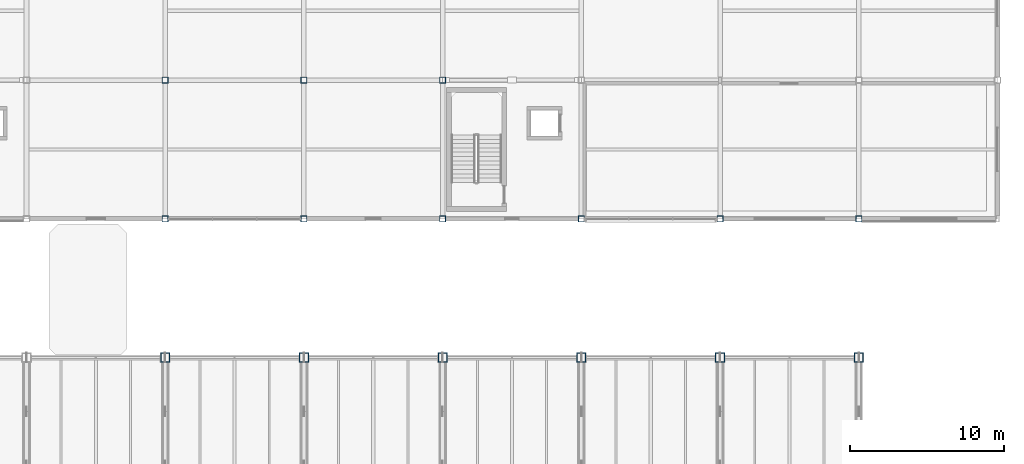
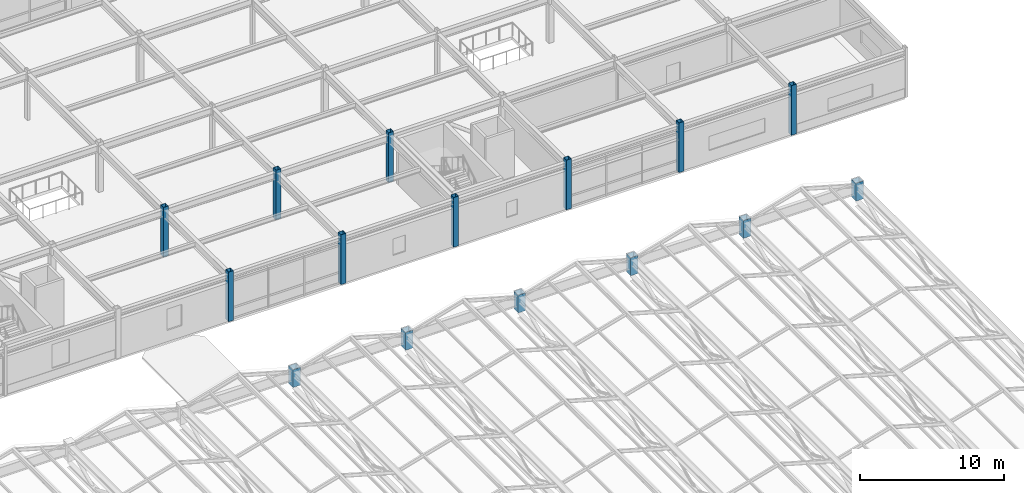
# One storey, part 13 of 108: 15 columns.
"""IFC4 building model written with IfcOpenShell, lengths in metres."""

import ifcopenshell
import ifcopenshell.guid

model = None  # the IFC model being written
_history = None  # IfcOwnerHistory: only IFC2X3 demands one
_inside = {}  # id of a spatial element -> (the spatial element, [elements in it])
_under = {}  # id of a project, library or spatial element -> (it, [spatial elements below it])
_declared = {}  # id of a project -> (the project, [libraries it declares])
_typed = {}  # id of a type object -> (the type object, [elements of that type])
_made_of = {}  # id of a material, layer set ... -> (it, [elements and type objects made of it])


def new_model(schema):
    """Start an empty IFC model of exactly this schema.

    Asked for "IFC4X3", IfcOpenShell would pick the latest addendum, in which some entities
    have other attributes; the version numbers below select the first issue.
    IFC2X3 requires an IfcOwnerHistory on every rooted entity: one is made here for all.
    """
    global model, _history
    if schema == "IFC4X3":
        model = ifcopenshell.file(schema_version=(4, 3, 0, 0))
    else:
        model = ifcopenshell.file(schema=schema)
    _inside.clear()
    _under.clear()
    _declared.clear()
    _typed.clear()
    _made_of.clear()
    _history = None
    if model.schema == "IFC2X3":
        org = make("IfcOrganization", Name="unknown")
        user = make(
            "IfcPersonAndOrganization",
            ThePerson=make("IfcPerson", FamilyName="unknown"),
            TheOrganization=org,
        )
        app = make(
            "IfcApplication",
            ApplicationDeveloper=org,
            Version="unknown",
            ApplicationFullName="unknown",
            ApplicationIdentifier="unknown",
        )
        _history = make(
            "IfcOwnerHistory",
            OwningUser=user,
            OwningApplication=app,
            ChangeAction="ADDED",
            CreationDate=0,
        )
    return model


def make(cls, **values):
    """One entity of the class cls with the attributes given. An attribute that is None is left unset."""
    return model.create_entity(
        cls, **{name: value for name, value in values.items() if value is not None}
    )


def rooted(cls, **values):
    """An entity with a GlobalId (a new one), such as an element, a storey or a relation."""
    return make(cls, GlobalId=ifcopenshell.guid.new(), OwnerHistory=_history, **values)


def si_unit(unit_type, name, prefix=None):
    """IfcSIUnit, for example si_unit("LENGTHUNIT", "METRE", prefix="MILLI")."""
    return make("IfcSIUnit", UnitType=unit_type, Prefix=prefix, Name=name)


def assignment(units):
    """IfcUnitAssignment: the units of a project."""
    return None if units is None else make("IfcUnitAssignment", Units=units)


def point(xyz):
    """IfcCartesianPoint."""
    return None if xyz is None else make("IfcCartesianPoint", Coordinates=xyz)


def direction(xyz):
    """IfcDirection."""
    return None if xyz is None else make("IfcDirection", DirectionRatios=xyz)


def frame(location, z_axis=None, x_axis=None):
    """IfcAxis2Placement3D, a coordinate frame: its origin and axes. An axis left out is left unset."""
    return make(
        "IfcAxis2Placement3D",
        Location=point(location),
        Axis=direction(z_axis),
        RefDirection=direction(x_axis),
    )


def frame_2d(location, x_axis=None):
    """IfcAxis2Placement2D, a coordinate frame in the plane: its origin and x axis."""
    return make(
        "IfcAxis2Placement2D", Location=point(location), RefDirection=direction(x_axis)
    )


def origin():
    """The frame at (0, 0, 0) with its axes left unset."""
    return frame((0.0, 0.0, 0.0))


def origin_2d():
    """The frame at (0, 0) in the plane with its x axis left unset."""
    return frame_2d((0.0, 0.0))


def place(relative_to, where):
    """IfcLocalPlacement: puts the frame where relative to a parent placement (None: the world)."""
    return make(
        "IfcLocalPlacement", PlacementRelTo=relative_to, RelativePlacement=where
    )


def context(
    kind, dimensions, precision=None, world=None, true_north=None, identifier=None
):
    """IfcGeometricRepresentationContext, for example the 3D "Model" context."""
    return make(
        "IfcGeometricRepresentationContext",
        ContextIdentifier=identifier,
        ContextType=kind,
        CoordinateSpaceDimension=dimensions,
        Precision=precision,
        WorldCoordinateSystem=world,
        TrueNorth=true_north,
    )


def subcontext(parent, identifier, kind, view, scale=None):
    """IfcGeometricRepresentationSubContext, for example "Body" below "Model"."""
    return make(
        "IfcGeometricRepresentationSubContext",
        ContextIdentifier=identifier,
        ContextType=kind,
        ParentContext=parent,
        TargetScale=scale,
        TargetView=view,
    )


def project(units=None, contexts=None):
    """IfcProject with its units and contexts."""
    return rooted(
        "IfcProject",
        Name="project",
        RepresentationContexts=contexts,
        UnitsInContext=assignment(units),
    )


def spatial(cls, under=None, at=None, **own):
    """A site, building, storey or space (cls), placed at a placement, below another one or the project."""
    s = rooted(cls, ObjectPlacement=at, **own)
    if under is not None:
        _under.setdefault(under.id(), (under, []))[1].append(s)
    return s


def profile(cls, at=None, kind="AREA", **sizes):
    """A parametric profile (cls). Its sizes go by their IFC names, for example OverallWidth=200.0."""
    return make(cls, ProfileType=kind, Position=at, **sizes)


def hollow_rectangle(**sizes):
    """IfcRectangleHollowProfileDef."""
    return profile("IfcRectangleHollowProfileDef", **sizes)


def extrude(swept, where, along, depth):
    """IfcExtrudedAreaSolid: the profile swept, set in the frame where, extruded along a direction by depth."""
    return make(
        "IfcExtrudedAreaSolid",
        SweptArea=swept,
        Position=where,
        ExtrudedDirection=direction(along),
        Depth=depth,
    )


def shape(context_of_items, identifier, shape_type, items):
    """IfcShapeRepresentation: the items that make up one representation, for example the "Body"."""
    return make(
        "IfcShapeRepresentation",
        ContextOfItems=context_of_items,
        RepresentationIdentifier=identifier,
        RepresentationType=shape_type,
        Items=items,
    )


def material(Name=None, Category=None):
    """IfcMaterial."""
    return make("IfcMaterial", Name=Name, Category=Category)


def material_profile(
    of_material, cross_section, Name=None, Category=None, Priority=None
):
    """IfcMaterialProfile: a cross section and its material."""
    return make(
        "IfcMaterialProfile",
        Name=Name,
        Material=of_material,
        Profile=cross_section,
        Priority=Priority,
        Category=Category,
    )


def profile_set(profiles, Name=None, composite=None):
    """IfcMaterialProfileSet."""
    return make(
        "IfcMaterialProfileSet",
        Name=Name,
        MaterialProfiles=profiles,
        CompositeProfile=composite,
    )


def made_of(thing, what):
    """Note that an element or type object is made of a material, layer set ...; save() writes the relation."""
    if what is not None:
        _made_of.setdefault(what.id(), (what, []))[1].append(thing)
    return thing


def type_object(cls, material=None, **own):
    """A type object (cls), such as IfcWallType, which elements share."""
    return made_of(rooted(cls, **own), material)


def element(
    cls,
    number,
    at=None,
    inside=None,
    cuts=None,
    type_object=None,
    material=None,
    context=None,
    identifier="Body",
    shape_type=None,
    held_by="IfcProductDefinitionShape",
    body=None,
    shapes=None,
    **own,
):
    """One element of the class cls, such as IfcWall. Its Tag is "e" and its number.

    at: its placement. inside: the storey or other place that contains it. cuts: it is an
    opening in that element (IfcRelVoidsElement). A single representation is given by context,
    identifier, shape_type and body (its items); several are given by shapes. held_by: the class
    of the entity that holds the representations. save() writes the other relations.
    """
    e = rooted(cls, Tag="e%d" % number, ObjectPlacement=at, **own)
    if body is not None:
        shapes = [shape(context, identifier, shape_type, body)]
    if shapes is not None:
        e.Representation = make(held_by, Representations=shapes)
    if inside is not None:
        _inside.setdefault(inside.id(), (inside, []))[1].append(e)
    if cuts is not None:
        rooted(
            "IfcRelVoidsElement", RelatingBuildingElement=cuts, RelatedOpeningElement=e
        )
    if type_object is not None:
        _typed.setdefault(type_object.id(), (type_object, []))[1].append(e)
    return made_of(e, material)


def aggregate(whole, parts):
    """IfcRelAggregates: a whole, such as a stair, and the parts it consists of."""
    return rooted("IfcRelAggregates", RelatingObject=whole, RelatedObjects=parts)


def save(model, path):
    """Write the relations noted so far, then the file.

    IfcRelAggregates (storeys below a building ...), IfcRelContainedInSpatialStructure (elements
    in a storey), IfcRelDefinesByType, IfcRelAssociatesMaterial and IfcRelDeclares: one each for
    every whole, place, type object, material and project.
    """
    for whole, parts in _under.values():
        aggregate(whole, parts)
    for where, things in _inside.values():
        rooted(
            "IfcRelContainedInSpatialStructure",
            RelatedElements=things,
            RelatingStructure=where,
        )
    for kind, things in _typed.values():
        rooted("IfcRelDefinesByType", RelatedObjects=things, RelatingType=kind)
    for what, things in _made_of.values():
        rooted("IfcRelAssociatesMaterial", RelatedObjects=things, RelatingMaterial=what)
    for by, libraries in _declared.values():
        rooted("IfcRelDeclares", RelatingContext=by, RelatedDefinitions=libraries)
    model.write(path)


model = new_model("IFC4")

# Units and contexts
model_context = context("Model", 3, precision=1e-05, world=origin(), true_north=direction((0.0, 1.0)))
body_context = subcontext(model_context, "Body", "Model", "MODEL_VIEW")
ifc_project = project(units=[si_unit("LENGTHUNIT", "METRE"), si_unit("AREAUNIT", "SQUARE_METRE"), si_unit("VOLUMEUNIT", "CUBIC_METRE"), si_unit("PLANEANGLEUNIT", "RADIAN"), si_unit("MASSUNIT", "GRAM", prefix="KILO")], contexts=[model_context])

# Site, building, storey
site_placement = place(None, origin())
site = spatial("IfcSite", under=ifc_project, at=site_placement, CompositionType="ELEMENT")
building_placement = place(site_placement, origin())
building = spatial("IfcBuilding", under=site, at=building_placement, Name="Suzunagisa Mobility Hub", CompositionType="ELEMENT")
storey_placement = place(building_placement, frame((0.0, 0.0, 9.300048828125)))
storey = spatial("IfcBuildingStorey", under=building, at=storey_placement, Name="L02", CompositionType="ELEMENT", Elevation=9.300048828125)

# Columns
ifc_material = material(Name="Steel SN490B", Category="steel")
ifc_material_profile_1 = material_profile(ifc_material, hollow_rectangle(XDim=0.60009765625, YDim=0.60009765625, WallThickness=0.031982421875, at=origin_2d()), Name="BOX-600x600x32")
ifc_profile_set_1 = profile_set([ifc_material_profile_1], Name="Steel SN490B")
column_type_1 = type_object("IfcColumnType", Name="Steel Column CL-05 BOX-600x600x32", PredefinedType="COLUMN", material=ifc_profile_set_1)
for number, where, z_axis, x_axis, name in (
    (1, (72.0, 71.0, 0.0), (0.0, 0.0, 1.0), (1.0, 0.0, 0.0), "L02 Column 153"),
    (2, (81.0, 71.0, 0.0), (0.0, 0.0, 1.0), (1.0, 0.0, 0.0), "L02 Column 169"),
    (3, (90.0, 71.0, 0.0), (0.0, 0.0, 1.0), (1.0, 0.0, 0.0), "L02 Column 185"),
    (4, (99.0, 71.0, 0.0), (0.0, 0.0, 1.0), (1.0, 0.0, 0.0), "L02 Column 194"),
    (5, (108.0, 71.0, 0.0), (0.0, 0.0, 1.0), (1.0, 0.0, 0.0), "L02 Column 203"),
    (6, (117.0, 71.0, 0.0), (0.0, 0.0, 1.0), (1.0, 0.0, 0.0), "L02 Column 214"),
):
    element("IfcColumn", number, at=place(storey_placement, frame(where, z_axis=z_axis, x_axis=x_axis)), inside=storey, type_object=column_type_1, Name=name, PredefinedType="COLUMN", context=body_context, shape_type="SweptSolid", body=[
        extrude(hollow_rectangle(XDim=0.60009765625, YDim=0.60009765625, WallThickness=0.031982421875, at=origin_2d()), origin(), (0.0, 0.0, 1.0), 1.5),
    ])
ifc_material_profile_2 = material_profile(ifc_material, hollow_rectangle(XDim=0.39990234375, YDim=0.39990234375, WallThickness=0.01904296875, at=origin_2d()), Name="BCR-400x400x19")
ifc_profile_set_2 = profile_set([ifc_material_profile_2], Name="Steel SN490B")
column_type_2 = type_object("IfcColumnType", Name="Steel Column CL-13 BCR-400x400x19", PredefinedType="COLUMN", material=ifc_profile_set_2)
for number, where, z_axis, x_axis, name in (
    (7, (72.0, 80.0, 0.0), (0.0, 0.0, 1.0), (1.0, 0.0, 0.0), "L02 Column 154"),
    (8, (72.0, 89.0, 0.0), (0.0, 0.0, 1.0), (1.0, 0.0, 0.0), "L02 Column 155"),
    (9, (81.0, 80.0, 0.0), (0.0, 0.0, 1.0), (1.0, 0.0, 0.0), "L02 Column 171"),
    (10, (81.0, 89.0, 0.0), (0.0, 0.0, 1.0), (1.0, 0.0, 0.0), "L02 Column 172"),
    (11, (90.0, 80.0, 0.0), (0.0, 0.0, 1.0), (1.0, 0.0, 0.0), "L02 Column 186"),
    (12, (90.0, 89.0, 0.0), (0.0, 0.0, 1.0), (1.0, 0.0, 0.0), "L02 Column 187"),
    (13, (99.0, 80.0, 0.0), (0.0, 0.0, 1.0), (1.0, 0.0, 0.0), "L02 Column 195"),
    (14, (108.0, 80.0, 0.0), (0.0, 0.0, 1.0), (1.0, 0.0, 0.0), "L02 Column 204"),
    (15, (117.0, 80.0, 0.0), (0.0, 0.0, 1.0), (1.0, 0.0, 0.0), "L02 Column 215"),
):
    element("IfcColumn", number, at=place(storey_placement, frame(where, z_axis=z_axis, x_axis=x_axis)), inside=storey, type_object=column_type_2, Name=name, PredefinedType="COLUMN", context=body_context, shape_type="SweptSolid", body=[
        extrude(hollow_rectangle(XDim=0.39990234375, YDim=0.39990234375, WallThickness=0.01904296875, at=origin_2d()), origin(), (0.0, 0.0, 1.0), 4.199951171875),
    ])

save(model, "model.ifc")
